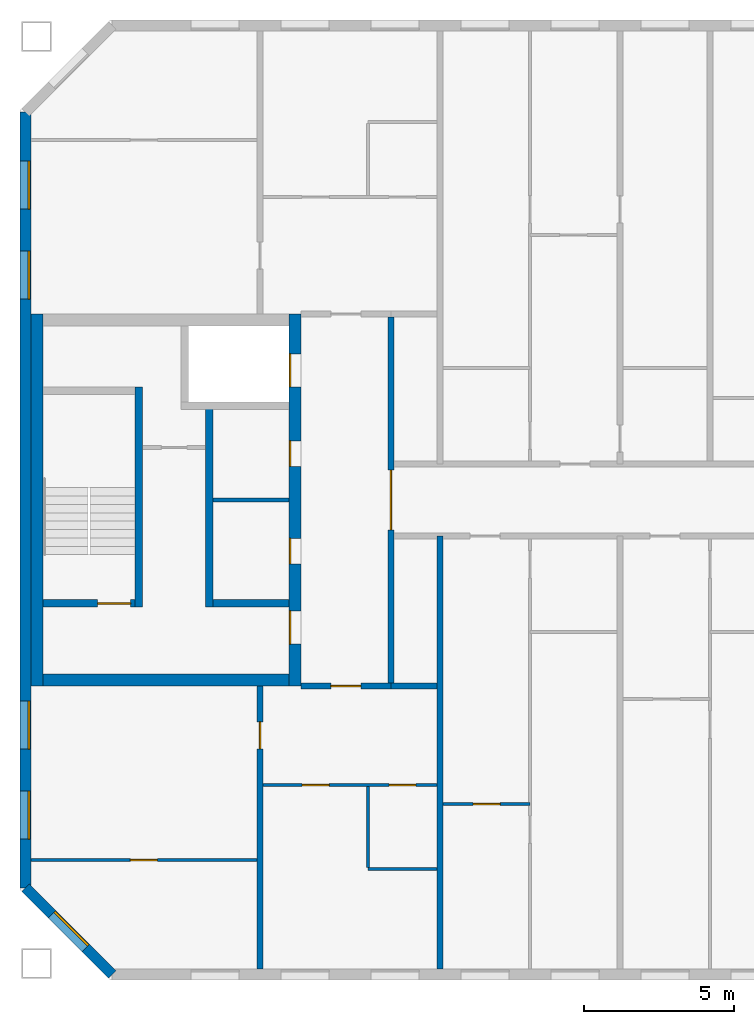
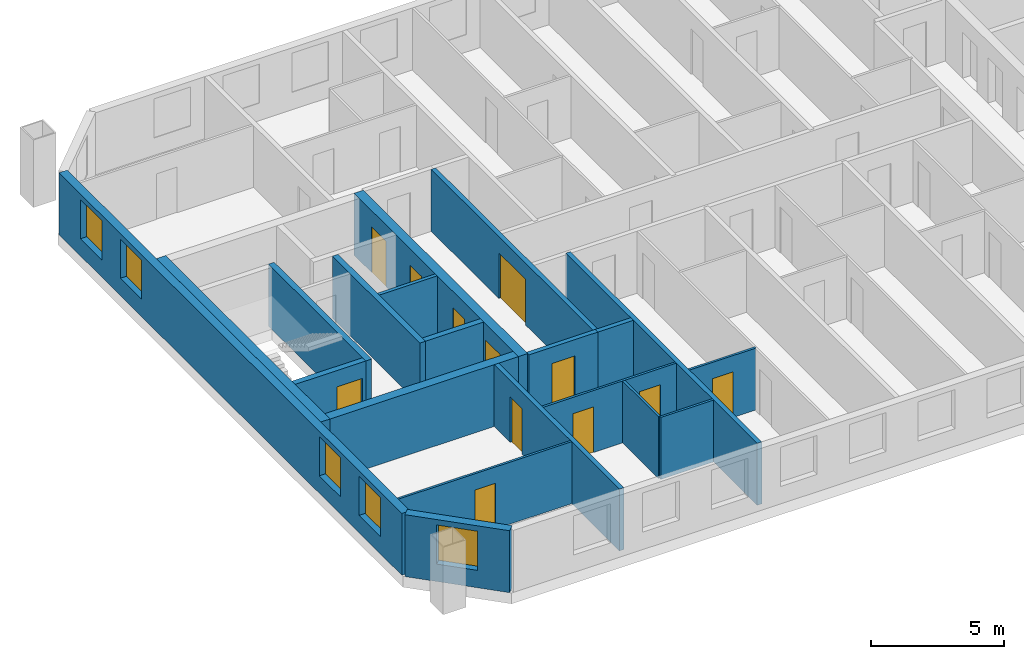
# One storey, part 4 of 19: 20 walls, 12 doors, 5 windows, 17 openings.
"""IFC4 building model written with IfcOpenShell, lengths in metres."""

from ifc_helpers import new_model, si_unit, direction, frame, frame_2d, origin, place, context, subcontext, project, spatial, rectangle, extrude, material, layer, layer_set, type_object, element, fill, save


model = new_model("IFC4")

# Units and contexts
model_context = context("Model", 3, precision=1e-05, world=origin(), true_north=direction((0.0, 1.0)))
body_context = subcontext(model_context, "Body", "Model", "MODEL_VIEW")
ifc_project = project(units=[si_unit("LENGTHUNIT", "METRE"), si_unit("AREAUNIT", "SQUARE_METRE"), si_unit("VOLUMEUNIT", "CUBIC_METRE"), si_unit("PLANEANGLEUNIT", "RADIAN"), si_unit("MASSUNIT", "GRAM", prefix="KILO")], contexts=[model_context])

# Site, building, storey
site_placement = place(None, origin())
site = spatial("IfcSite", under=ifc_project, at=site_placement, CompositionType="ELEMENT")
building_placement = place(site_placement, origin())
building = spatial("IfcBuilding", under=site, at=building_placement, Name="Tuart Gate Housing", CompositionType="ELEMENT")
storey_placement = place(building_placement, frame((0.0, 0.0, 202.800048828125)))
storey = spatial("IfcBuildingStorey", under=building, at=storey_placement, Name="L57", CompositionType="ELEMENT", Elevation=202.800048828125)

# Wall, opening, window
ifc_material_1 = material(Name="Brick", Category="masonry")
ifc_layer_1 = layer(ifc_material_1, 0.360107421875)
ifc_layer_set_1 = layer_set([ifc_layer_1], Name="Brick pier and spandrel wall 360")
wall_type_1 = type_object("IfcWallType", Name="Brick pier and spandrel wall 360", PredefinedType="STANDARD", material=ifc_layer_set_1)
wall_1_placement = place(storey_placement, frame((32.179931640625, 57.07470703125, 0.0), z_axis=(0.0, 0.0, 1.0), x_axis=(0.707106781187, -0.707106781187, 0.0)))
wall_1 = element("IfcWall", 1, at=wall_1_placement, inside=storey, type_object=wall_type_1, Name="External wall BLK-SW L57", PredefinedType="STANDARD", context=body_context, shape_type="SweptSolid", body=[
    extrude(rectangle(XDim=4.09375, YDim=0.360107421875, at=frame_2d((2.046875, 0.0))), origin(), (0.0, 0.0, 1.0), 2.849853515625),
])
opening_1_placement = place(wall_1_placement, frame((1.2470703125, 0.0, 0.800048828125)))
opening_1 = element("IfcOpeningElement", 2, at=opening_1_placement, cuts=wall_1, Name="Opening W1", PredefinedType="OPENING", context=body_context, shape_type="SweptSolid", body=[
    extrude(rectangle(XDim=1.60009765625, YDim=1.800048828125, at=frame_2d((0.800048828125, 0.89990234375))), frame((0.0, 0.18994140625, 0.0), z_axis=(0.0, -1.0, 0.0), x_axis=(1.0, 0.0, 0.0)), (0.0, 0.0, 1.0), 0.380126953125),
])
ifc_material_2 = material(Name="Aluminium frame with clear glass", Category="aluminium")
window_type = type_object("IfcWindowType", Name="Punched window 1600 x 1800", PartitioningType="SINGLE_PANEL", PredefinedType="WINDOW", material=ifc_material_2)
window_1_placement = place(opening_1_placement, origin())
window_1 = element("IfcWindow", 3, at=window_1_placement, inside=storey, type_object=window_type, Name="Window W1", OverallHeight=1.800048828125, OverallWidth=1.60009765625, PartitioningType="SINGLE_PANEL", PredefinedType="WINDOW", context=body_context, shape_type="SweptSolid", body=[
    extrude(rectangle(XDim=1.60009765625, YDim=1.800048828125, at=frame_2d((0.800048828125, 0.89990234375))), frame((0.0, 0.150146484375, 0.0), z_axis=(0.0, -1.0, 0.0), x_axis=(1.0, 0.0, 0.0)), (0.0, 0.0, 1.0), 0.06005859375),
])
fill(opening_1, window_1)

# Wall, openings, windows
wall_2_placement = place(storey_placement, frame((32.179931640625, 82.92529296875, 0.0), z_axis=(0.0, 0.0, 1.0), x_axis=(0.0, -1.0, 0.0)))
wall_2 = element("IfcWall", 4, at=wall_2_placement, inside=storey, type_object=wall_type_1, Name="External wall BLK-W L57", PredefinedType="STANDARD", context=body_context, shape_type="SweptSolid", body=[
    extrude(rectangle(XDim=25.850830078125, YDim=0.360107421875, at=frame_2d((12.92529296875, 0.0))), origin(), (0.0, 0.0, 1.0), 2.849853515625),
])
opening_2_placement = place(wall_2_placement, frame((1.62548828125, 0.0, 0.800048828125)))
opening_2 = element("IfcOpeningElement", 5, at=opening_2_placement, cuts=wall_2, Name="Opening W1", PredefinedType="OPENING", context=body_context, shape_type="SweptSolid", body=[
    extrude(rectangle(XDim=1.60009765625, YDim=1.800048828125, at=frame_2d((0.800048828125, 0.89990234375))), frame((0.0, 0.18994140625, 0.0), z_axis=(0.0, -1.0, 0.0), x_axis=(1.0, 0.0, 0.0)), (0.0, 0.0, 1.0), 0.380126953125),
])
opening_3_placement = place(wall_2_placement, frame((4.62548828125, 0.0, 0.800048828125)))
opening_3 = element("IfcOpeningElement", 6, at=opening_3_placement, cuts=wall_2, Name="Opening W1", PredefinedType="OPENING", context=body_context, shape_type="SweptSolid", body=[
    extrude(rectangle(XDim=1.60009765625, YDim=1.800048828125, at=frame_2d((0.800048828125, 0.89990234375))), frame((0.0, 0.18994140625, 0.0), z_axis=(0.0, -1.0, 0.0), x_axis=(1.0, 0.0, 0.0)), (0.0, 0.0, 1.0), 0.380126953125),
])
opening_4_placement = place(wall_2_placement, frame((19.62548828125, 0.0, 0.800048828125)))
opening_4 = element("IfcOpeningElement", 7, at=opening_4_placement, cuts=wall_2, Name="Opening W1", PredefinedType="OPENING", context=body_context, shape_type="SweptSolid", body=[
    extrude(rectangle(XDim=1.60009765625, YDim=1.800048828125, at=frame_2d((0.800048828125, 0.89990234375))), frame((0.0, 0.18994140625, 0.0), z_axis=(0.0, -1.0, 0.0), x_axis=(1.0, 0.0, 0.0)), (0.0, 0.0, 1.0), 0.380126953125),
])
opening_5_placement = place(wall_2_placement, frame((22.62548828125, 0.0, 0.800048828125)))
opening_5 = element("IfcOpeningElement", 8, at=opening_5_placement, cuts=wall_2, Name="Opening W1", PredefinedType="OPENING", context=body_context, shape_type="SweptSolid", body=[
    extrude(rectangle(XDim=1.60009765625, YDim=1.800048828125, at=frame_2d((0.800048828125, 0.89990234375))), frame((0.0, 0.18994140625, 0.0), z_axis=(0.0, -1.0, 0.0), x_axis=(1.0, 0.0, 0.0)), (0.0, 0.0, 1.0), 0.380126953125),
])
window_2_placement = place(opening_2_placement, origin())
window_2 = element("IfcWindow", 9, at=window_2_placement, inside=storey, type_object=window_type, Name="Window W1", OverallHeight=1.800048828125, OverallWidth=1.60009765625, PartitioningType="SINGLE_PANEL", PredefinedType="WINDOW", context=body_context, shape_type="SweptSolid", body=[
    extrude(rectangle(XDim=1.60009765625, YDim=1.800048828125, at=frame_2d((0.800048828125, 0.89990234375))), frame((0.0, 0.150146484375, 0.0), z_axis=(0.0, -1.0, 0.0), x_axis=(1.0, 0.0, 0.0)), (0.0, 0.0, 1.0), 0.06005859375),
])
fill(opening_2, window_2)
window_3_placement = place(opening_3_placement, origin())
window_3 = element("IfcWindow", 10, at=window_3_placement, inside=storey, type_object=window_type, Name="Window W1", OverallHeight=1.800048828125, OverallWidth=1.60009765625, PartitioningType="SINGLE_PANEL", PredefinedType="WINDOW", context=body_context, shape_type="SweptSolid", body=[
    extrude(rectangle(XDim=1.60009765625, YDim=1.800048828125, at=frame_2d((0.800048828125, 0.89990234375))), frame((0.0, 0.150146484375, 0.0), z_axis=(0.0, -1.0, 0.0), x_axis=(1.0, 0.0, 0.0)), (0.0, 0.0, 1.0), 0.06005859375),
])
fill(opening_3, window_3)
window_4_placement = place(opening_4_placement, origin())
window_4 = element("IfcWindow", 11, at=window_4_placement, inside=storey, type_object=window_type, Name="Window W1", OverallHeight=1.800048828125, OverallWidth=1.60009765625, PartitioningType="SINGLE_PANEL", PredefinedType="WINDOW", context=body_context, shape_type="SweptSolid", body=[
    extrude(rectangle(XDim=1.60009765625, YDim=1.800048828125, at=frame_2d((0.800048828125, 0.89990234375))), frame((0.0, 0.150146484375, 0.0), z_axis=(0.0, -1.0, 0.0), x_axis=(1.0, 0.0, 0.0)), (0.0, 0.0, 1.0), 0.06005859375),
])
fill(opening_4, window_4)
window_5_placement = place(opening_5_placement, origin())
window_5 = element("IfcWindow", 12, at=window_5_placement, inside=storey, type_object=window_type, Name="Window W1", OverallHeight=1.800048828125, OverallWidth=1.60009765625, PartitioningType="SINGLE_PANEL", PredefinedType="WINDOW", context=body_context, shape_type="SweptSolid", body=[
    extrude(rectangle(XDim=1.60009765625, YDim=1.800048828125, at=frame_2d((0.800048828125, 0.89990234375))), frame((0.0, 0.150146484375, 0.0), z_axis=(0.0, -1.0, 0.0), x_axis=(1.0, 0.0, 0.0)), (0.0, 0.0, 1.0), 0.06005859375),
])
fill(opening_5, window_5)

# Walls
ifc_material_3 = material(Name="Plasterboard partition")
ifc_layer_2 = layer(ifc_material_3, 0.14990234375)
ifc_layer_set_2 = layer_set([ifc_layer_2], Name="Core partition 150")
wall_type_2 = type_object("IfcWallType", Name="Core partition 150", PredefinedType="PARTITIONING", material=ifc_layer_set_2)
wall_3_placement = place(storey_placement, frame((40.9599609375, 70.0, 0.0), z_axis=(0.0, 0.0, 1.0), x_axis=(-1.0, 0.0, 0.0)))
element("IfcWall", 13, at=wall_3_placement, inside=storey, type_object=wall_type_2, Name="Core partition AK.4", PredefinedType="PARTITIONING", context=body_context, shape_type="SweptSolid", body=[
    extrude(rectangle(XDim=2.52490234375, YDim=0.14990234375, at=frame_2d((1.262451171875, 0.0))), origin(), (0.0, 0.0, 1.0), 2.849853515625),
])
ifc_material_4 = material(Name="Concrete C40", Category="concrete")
ifc_layer_3 = layer(ifc_material_4, 0.25)
ifc_layer_set_3 = layer_set([ifc_layer_3], Name="Core wall 250 C40")
wall_type_3 = type_object("IfcWallType", Name="Core wall 250 C40", PredefinedType="SHEAR", material=ifc_layer_set_3)
wall_4_placement = place(storey_placement, frame((40.9599609375, 66.550048828125, 0.0), z_axis=(0.0, 0.0, 1.0), x_axis=(-1.0, 0.0, 0.0)))
element("IfcWall", 14, at=wall_4_placement, inside=storey, type_object=wall_type_3, Name="Core wall AK.5", PredefinedType="SHEAR", context=body_context, shape_type="SweptSolid", body=[
    extrude(rectangle(XDim=2.52490234375, YDim=0.25, at=frame_2d((1.262451171875, 0.0))), origin(), (0.0, 0.0, 1.0), 2.849853515625),
])

# Wall, opening, door
wall_5_placement = place(storey_placement, frame((35.8349609375, 66.550048828125, 0.0), z_axis=(0.0, 0.0, 1.0), x_axis=(-1.0, 0.0, 0.0)))
wall_5 = element("IfcWall", 15, at=wall_5_placement, inside=storey, type_object=wall_type_3, Name="Core wall AK.6", PredefinedType="SHEAR", context=body_context, shape_type="SweptSolid", body=[
    extrude(rectangle(XDim=3.074951171875, YDim=0.25, at=frame_2d((1.53759765625, 0.0))), origin(), (0.0, 0.0, 1.0), 2.849853515625),
])
opening_6_placement = place(wall_5_placement, frame((0.14990234375, 0.0, 0.0)))
opening_6 = element("IfcOpeningElement", 16, at=opening_6_placement, cuts=wall_5, Name="Opening D1982", PredefinedType="OPENING", context=body_context, shape_type="SweptSolid", body=[
    extrude(rectangle(XDim=1.10009765625, YDim=2.10009765625, at=frame_2d((0.550048828125, 1.050048828125))), frame((0.0, 0.135009765625, 0.0), z_axis=(0.0, -1.0, 0.0), x_axis=(1.0, 0.0, 0.0)), (0.0, 0.0, 1.0), 0.27001953125),
])
ifc_material_5 = material(Name="Steel fire door", Category="steel")
door_type_1 = type_object("IfcDoorType", Name="Stair door 1100 x 2100 RH", OperationType="SINGLE_SWING_RIGHT", PredefinedType="DOOR", material=ifc_material_5)
door_1_placement = place(opening_6_placement, frame((1.10009765625, 0.0, 0.0), z_axis=(0.0, 0.0, 1.0), x_axis=(-1.0, 0.0, 0.0)))
door_1 = element("IfcDoor", 17, at=door_1_placement, inside=storey, type_object=door_type_1, Name="Stair door AK.SD", OperationType="SINGLE_SWING_RIGHT", OverallHeight=2.10009765625, OverallWidth=1.10009765625, PredefinedType="DOOR", context=body_context, shape_type="SweptSolid", body=[
    extrude(rectangle(XDim=1.10009765625, YDim=2.10009765625, at=frame_2d((0.550048828125, 1.050048828125))), frame((0.0, 0.025146484375, 0.0), z_axis=(0.0, -1.0, 0.0), x_axis=(1.0, 0.0, 0.0)), (0.0, 0.0, 1.0), 0.050048828125),
])
fill(opening_6, door_1)

# Walls
wall_6_placement = place(storey_placement, frame((38.31005859375, 73.02490234375, 0.0), z_axis=(0.0, 0.0, 1.0), x_axis=(0.0, -1.0, 0.0)))
element("IfcWall", 18, at=wall_6_placement, inside=storey, type_object=wall_type_3, Name="Core wall AK.7", PredefinedType="SHEAR", context=body_context, shape_type="SweptSolid", body=[
    extrude(rectangle(XDim=6.599853515625, YDim=0.25, at=frame_2d((3.2998046875, 0.0))), origin(), (0.0, 0.0, 1.0), 2.849853515625),
])
wall_7_placement = place(storey_placement, frame((35.9599609375, 73.77490234375, 0.0), z_axis=(0.0, 0.0, 1.0), x_axis=(0.0, -1.0, 0.0)))
element("IfcWall", 19, at=wall_7_placement, inside=storey, type_object=wall_type_3, Name="Core wall AK.9", PredefinedType="SHEAR", context=body_context, shape_type="SweptSolid", body=[
    extrude(rectangle(XDim=7.349853515625, YDim=0.25, at=frame_2d((3.6748046875, 0.0))), origin(), (0.0, 0.0, 1.0), 2.849853515625),
])

# Wall, openings, doors
ifc_material_6 = material(Name="Concrete C40", Category="concrete")
ifc_layer_4 = layer(ifc_material_6, 0.39990234375)
ifc_layer_set_4 = layer_set([ifc_layer_4], Name="Core wall 400 C40")
wall_type_4 = type_object("IfcWallType", Name="Core wall 400 C40", PredefinedType="SHEAR", material=ifc_layer_set_4)
wall_8_placement = place(storey_placement, frame((41.159912109375, 76.199951171875, 0.0), z_axis=(0.0, 0.0, 1.0), x_axis=(0.0, -1.0, 0.0)))
wall_8 = element("IfcWall", 20, at=wall_8_placement, inside=storey, type_object=wall_type_4, Name="Core wall AK front", PredefinedType="SHEAR", context=body_context, shape_type="SweptSolid", body=[
    extrude(rectangle(XDim=12.39990234375, YDim=0.39990234375, at=frame_2d((6.199951171875, 0.0))), origin(), (0.0, 0.0, 1.0), 2.849853515625),
])
opening_7_placement = place(wall_8_placement, frame((1.324951171875, 0.0, 0.0)))
opening_7 = element("IfcOpeningElement", 21, at=opening_7_placement, cuts=wall_8, Name="Opening LD-FA2", PredefinedType="OPENING", context=body_context, shape_type="SweptSolid", body=[
    extrude(rectangle(XDim=1.10009765625, YDim=2.10009765625, at=frame_2d((0.550048828125, 1.050048828125))), frame((0.0, 0.2099609375, 0.0), z_axis=(0.0, -1.0, 0.0), x_axis=(1.0, 0.0, 0.0)), (0.0, 0.0, 1.0), 0.419921875),
])
opening_8_placement = place(wall_8_placement, frame((4.22509765625, 0.0, 0.0)))
opening_8 = element("IfcOpeningElement", 22, at=opening_8_placement, cuts=wall_8, Name="Opening D1971", PredefinedType="OPENING", context=body_context, shape_type="SweptSolid", body=[
    extrude(rectangle(XDim=0.85009765625, YDim=2.10009765625, at=frame_2d((0.425048828125, 1.050048828125))), frame((0.0, 0.2099609375, 0.0), z_axis=(0.0, -1.0, 0.0), x_axis=(1.0, 0.0, 0.0)), (0.0, 0.0, 1.0), 0.419921875),
])
opening_9_placement = place(wall_8_placement, frame((7.47509765625, 0.0, 0.0)))
opening_9 = element("IfcOpeningElement", 23, at=opening_9_placement, cuts=wall_8, Name="Opening D1972", PredefinedType="OPENING", context=body_context, shape_type="SweptSolid", body=[
    extrude(rectangle(XDim=0.85009765625, YDim=2.10009765625, at=frame_2d((0.425048828125, 1.050048828125))), frame((0.0, 0.2099609375, 0.0), z_axis=(0.0, -1.0, 0.0), x_axis=(1.0, 0.0, 0.0)), (0.0, 0.0, 1.0), 0.419921875),
])
opening_10_placement = place(wall_8_placement, frame((9.89990234375, 0.0, 0.0)))
opening_10 = element("IfcOpeningElement", 24, at=opening_10_placement, cuts=wall_8, Name="Opening D1970", PredefinedType="OPENING", context=body_context, shape_type="SweptSolid", body=[
    extrude(rectangle(XDim=1.10009765625, YDim=2.10009765625, at=frame_2d((0.550048828125, 1.050048828125))), frame((0.0, 0.2099609375, 0.0), z_axis=(0.0, -1.0, 0.0), x_axis=(1.0, 0.0, 0.0)), (0.0, 0.0, 1.0), 0.419921875),
])
ifc_material_7 = material(Name="Stainless steel", Category="steel")
door_type_2 = type_object("IfcDoorType", Name="Landing door 1100 x 2100", OperationType="DOUBLE_DOOR_SLIDING", PredefinedType="DOOR", material=ifc_material_7)
door_2_placement = place(opening_7_placement, origin())
door_2 = element("IfcDoor", 25, at=door_2_placement, inside=storey, type_object=door_type_2, Name="Lift landing door FA2", OperationType="DOUBLE_DOOR_SLIDING", OverallHeight=2.10009765625, OverallWidth=1.10009765625, PredefinedType="DOOR", context=body_context, shape_type="SweptSolid", body=[
    extrude(rectangle(XDim=1.10009765625, YDim=2.10009765625, at=frame_2d((0.550048828125, 1.050048828125))), frame((0.0, -0.134765625, 0.0), z_axis=(0.0, -1.0, 0.0), x_axis=(1.0, 0.0, 0.0)), (0.0, 0.0, 1.0), 0.050048828125),
])
fill(opening_7, door_2)
ifc_material_8 = material(Name="Steel fire door", Category="steel")
door_type_3 = type_object("IfcDoorType", Name="Lobby door 1100 x 2100 RH", OperationType="SINGLE_SWING_RIGHT", PredefinedType="DOOR", material=ifc_material_8)
door_3_placement = place(opening_10_placement, frame((1.10009765625, 0.0, 0.0), z_axis=(0.0, 0.0, 1.0), x_axis=(-1.0, 0.0, 0.0)))
door_3 = element("IfcDoor", 26, at=door_3_placement, inside=storey, type_object=door_type_3, Name="Lobby entry door AK.EN", OperationType="SINGLE_SWING_RIGHT", OverallHeight=2.10009765625, OverallWidth=1.10009765625, PredefinedType="DOOR", context=body_context, shape_type="SweptSolid", body=[
    extrude(rectangle(XDim=1.10009765625, YDim=2.10009765625, at=frame_2d((0.550048828125, 1.050048828125))), frame((0.0, 0.184814453125, 0.0), z_axis=(0.0, -1.0, 0.0), x_axis=(1.0, 0.0, 0.0)), (0.0, 0.0, 1.0), 0.050048828125),
])
fill(opening_10, door_3)
ifc_material_9 = material(Name="Steel fire door", Category="steel")
door_type_4 = type_object("IfcDoorType", Name="Service door 850 x 2100 RH", OperationType="SINGLE_SWING_RIGHT", PredefinedType="DOOR", material=ifc_material_9)
door_4_placement = place(opening_8_placement, frame((0.85009765625, 0.0, 0.0), z_axis=(0.0, 0.0, 1.0), x_axis=(-1.0, 0.0, 0.0)))
door_4 = element("IfcDoor", 27, at=door_4_placement, inside=storey, type_object=door_type_4, Name="Service room door AK.FR1", OperationType="SINGLE_SWING_RIGHT", OverallHeight=2.10009765625, OverallWidth=0.85009765625, PredefinedType="DOOR", context=body_context, shape_type="SweptSolid", body=[
    extrude(rectangle(XDim=0.85009765625, YDim=2.10009765625, at=frame_2d((0.425048828125, 1.050048828125))), frame((0.0, 0.184814453125, 0.0), z_axis=(0.0, -1.0, 0.0), x_axis=(1.0, 0.0, 0.0)), (0.0, 0.0, 1.0), 0.050048828125),
])
fill(opening_8, door_4)
door_5_placement = place(opening_9_placement, frame((0.85009765625, 0.0, 0.0), z_axis=(0.0, 0.0, 1.0), x_axis=(-1.0, 0.0, 0.0)))
door_5 = element("IfcDoor", 28, at=door_5_placement, inside=storey, type_object=door_type_4, Name="Service room door AK.FR2", OperationType="SINGLE_SWING_RIGHT", OverallHeight=2.10009765625, OverallWidth=0.85009765625, PredefinedType="DOOR", context=body_context, shape_type="SweptSolid", body=[
    extrude(rectangle(XDim=0.85009765625, YDim=2.10009765625, at=frame_2d((0.425048828125, 1.050048828125))), frame((0.0, 0.184814453125, 0.0), z_axis=(0.0, -1.0, 0.0), x_axis=(1.0, 0.0, 0.0)), (0.0, 0.0, 1.0), 0.050048828125),
])
fill(opening_9, door_5)

# Walls
wall_9_placement = place(storey_placement, frame((32.56005859375, 76.199951171875, 0.0), z_axis=(0.0, 0.0, 1.0), x_axis=(0.0, -1.0, 0.0)))
element("IfcWall", 29, at=wall_9_placement, inside=storey, type_object=wall_type_4, Name="Core wall AK back", PredefinedType="SHEAR", context=body_context, shape_type="SweptSolid", body=[
    extrude(rectangle(XDim=12.39990234375, YDim=0.39990234375, at=frame_2d((6.199951171875, 0.0))), origin(), (0.0, 0.0, 1.0), 2.849853515625),
])
wall_10_placement = place(storey_placement, frame((40.9599609375, 64.0, 0.0), z_axis=(0.0, 0.0, 1.0), x_axis=(-1.0, 0.0, 0.0)))
element("IfcWall", 30, at=wall_10_placement, inside=storey, type_object=wall_type_4, Name="Core wall AK north", PredefinedType="SHEAR", context=body_context, shape_type="SweptSolid", body=[
    extrude(rectangle(XDim=8.199951171875, YDim=0.39990234375, at=frame_2d((4.10009765625, 0.0))), origin(), (0.0, 0.0, 1.0), 2.849853515625),
])

# Wall, opening, door
ifc_material_10 = material(Name="Concrete masonry 15 MPa", Category="masonry")
ifc_layer_5 = layer(ifc_material_10, 0.199951171875)
ifc_layer_set_5 = layer_set([ifc_layer_5], Name="Enclosure wall masonry 200")
wall_type_5 = type_object("IfcWallType", Name="Enclosure wall masonry 200", PredefinedType="PARTITIONING", material=ifc_layer_set_5)
wall_11_placement = place(storey_placement, frame((41.360107421875, 63.800048828125, 0.0), z_axis=(0.0, 0.0, 1.0), x_axis=(1.0, 0.0, 0.0)))
wall_11 = element("IfcWall", 31, at=wall_11_placement, inside=storey, type_object=wall_type_5, Name="Enclosure wall masonry 200", PredefinedType="PARTITIONING", context=body_context, shape_type="SweptSolid", body=[
    extrude(rectangle(XDim=3.0, YDim=0.199951171875, at=frame_2d((1.5, 0.0))), origin(), (0.0, 0.0, 1.0), 2.849853515625),
])
opening_11_placement = place(wall_11_placement, frame((1.0, 0.0, 0.0)))
opening_11 = element("IfcOpeningElement", 32, at=opening_11_placement, cuts=wall_11, Name="Opening D1983", PredefinedType="OPENING", context=body_context, shape_type="SweptSolid", body=[
    extrude(rectangle(XDim=1.0, YDim=2.10009765625, at=frame_2d((0.5, 1.050048828125))), frame((0.0, 0.10986328125, 0.0), z_axis=(0.0, -1.0, 0.0), x_axis=(1.0, 0.0, 0.0)), (0.0, 0.0, 1.0), 0.219970703125),
])
ifc_material_11 = material(Name="Timber door leaf in steel frame", Category="steel")
door_type_5 = type_object("IfcDoorType", Name="Flat entrance door 1000 RH", OperationType="SINGLE_SWING_RIGHT", PredefinedType="DOOR", material=ifc_material_11)
door_6_placement = place(opening_11_placement, frame((1.0, 0.0, 0.0), z_axis=(0.0, 0.0, 1.0), x_axis=(-1.0, 0.0, 0.0)))
door_6 = element("IfcDoor", 33, at=door_6_placement, inside=storey, type_object=door_type_5, Name="Flat entrance door", OperationType="SINGLE_SWING_RIGHT", OverallHeight=2.10009765625, OverallWidth=1.0, PredefinedType="DOOR", context=body_context, shape_type="SweptSolid", body=[
    extrude(rectangle(XDim=1.0, YDim=2.10009765625, at=frame_2d((0.5, 1.050048828125))), frame((0.0, 0.025146484375, 0.0), z_axis=(0.0, -1.0, 0.0), x_axis=(1.0, 0.0, 0.0)), (0.0, 0.0, 1.0), 0.050048828125),
])
fill(opening_11, door_6)

ifc_material_12 = material(Name="Plasterboard partition")
ifc_layer_6 = layer(ifc_material_12, 0.199951171875)
ifc_layer_set_6 = layer_set([ifc_layer_6], Name="Lobby wall 200")
wall_type_6 = type_object("IfcWallType", Name="Lobby wall 200", PredefinedType="PARTITIONING", material=ifc_layer_set_6)
wall_12_placement = place(storey_placement, frame((44.360107421875, 63.89990234375, 0.0), z_axis=(0.0, 0.0, 1.0), x_axis=(0.0, 1.0, 0.0)))
wall_12 = element("IfcWall", 34, at=wall_12_placement, inside=storey, type_object=wall_type_6, Name="Lift lobby wall AK", PredefinedType="PARTITIONING", context=body_context, shape_type="SweptSolid", body=[
    extrude(rectangle(XDim=12.2001953125, YDim=0.199951171875, at=frame_2d((6.10009765625, 0.0))), origin(), (0.0, 0.0, 1.0), 2.849853515625),
])
opening_12_placement = place(wall_12_placement, frame((5.10009765625, 0.0, 0.0)))
opening_12 = element("IfcOpeningElement", 35, at=opening_12_placement, cuts=wall_12, Name="Opening D1973", PredefinedType="OPENING", context=body_context, shape_type="SweptSolid", body=[
    extrude(rectangle(XDim=2.0, YDim=2.10009765625, at=frame_2d((1.0, 1.050048828125))), frame((0.0, 0.10986328125, 0.0), z_axis=(0.0, -1.0, 0.0), x_axis=(1.0, 0.0, 0.0)), (0.0, 0.0, 1.0), 0.219970703125),
])
ifc_material_13 = material(Name="Steel fire door", Category="steel")
door_type_6 = type_object("IfcDoorType", Name="Smoke door 2000 x 2100", OperationType="DOUBLE_DOOR_SINGLE_SWING", PredefinedType="DOOR", material=ifc_material_13)
door_7_placement = place(opening_12_placement, origin())
door_7 = element("IfcDoor", 36, at=door_7_placement, inside=storey, type_object=door_type_6, Name="Lift lobby smoke door AK", OperationType="DOUBLE_DOOR_SINGLE_SWING", OverallHeight=2.10009765625, OverallWidth=2.0, PredefinedType="DOOR", context=body_context, shape_type="SweptSolid", body=[
    extrude(rectangle(XDim=2.0, YDim=2.10009765625, at=frame_2d((1.0, 1.050048828125))), frame((0.0, 0.02490234375, 0.0), z_axis=(0.0, -1.0, 0.0), x_axis=(1.0, 0.0, 0.0)), (0.0, 0.0, 1.0), 0.050048828125),
])
fill(opening_12, door_7)

# Wall
ifc_material_14 = material(Name="Gypsum board on steel studs", Category="steel")
ifc_layer_7 = layer(ifc_material_14, 0.10009765625)
ifc_layer_set_7 = layer_set([ifc_layer_7], Name="Partition 100")
wall_type_7 = type_object("IfcWallType", Name="Partition 100", PredefinedType="PARTITIONING", material=ifc_layer_set_7)
wall_13_placement = place(storey_placement, frame((43.60009765625, 57.699951171875, 0.0), z_axis=(0.0, 0.0, 1.0), x_axis=(1.0, 0.0, 0.0)))
element("IfcWall", 37, at=wall_13_placement, inside=storey, type_object=wall_type_7, Name="Partition 100", PredefinedType="PARTITIONING", context=body_context, shape_type="SweptSolid", body=[
    extrude(rectangle(XDim=2.2998046875, YDim=0.10009765625, at=frame_2d((1.14990234375, 0.0))), origin(), (0.0, 0.0, 1.0), 2.849853515625),
])

# Wall, opening, door
wall_14_placement = place(storey_placement, frame((32.360107421875, 58.0, 0.0), z_axis=(0.0, 0.0, 1.0), x_axis=(1.0, 0.0, 0.0)))
wall_14 = element("IfcWall", 38, at=wall_14_placement, inside=storey, type_object=wall_type_7, Name="Partition 100", PredefinedType="PARTITIONING", context=body_context, shape_type="SweptSolid", body=[
    extrude(rectangle(XDim=7.539794921875, YDim=0.10009765625, at=frame_2d((3.77001953125, 0.0))), origin(), (0.0, 0.0, 1.0), 2.849853515625),
])
opening_13_placement = place(wall_14_placement, frame((3.320068359375, 0.0, 0.0)))
opening_13 = element("IfcOpeningElement", 39, at=opening_13_placement, cuts=wall_14, Name="Opening D2001", PredefinedType="OPENING", context=body_context, shape_type="SweptSolid", body=[
    extrude(rectangle(XDim=0.89990234375, YDim=2.10009765625, at=frame_2d((0.449951171875, 1.050048828125))), frame((0.0, 0.06005859375, 0.0), z_axis=(0.0, -1.0, 0.0), x_axis=(1.0, 0.0, 0.0)), (0.0, 0.0, 1.0), 0.1201171875),
])
ifc_material_15 = material(Name="Timber door leaf in steel frame", Category="steel")
door_type_7 = type_object("IfcDoorType", Name="Internal door 900 RH", OperationType="SINGLE_SWING_RIGHT", PredefinedType="DOOR", material=ifc_material_15)
door_8_placement = place(opening_13_placement, frame((0.89990234375, 0.0, 0.0), z_axis=(0.0, 0.0, 1.0), x_axis=(-1.0, 0.0, 0.0)))
door_8 = element("IfcDoor", 40, at=door_8_placement, inside=storey, type_object=door_type_7, Name="Internal door", OperationType="SINGLE_SWING_RIGHT", OverallHeight=2.10009765625, OverallWidth=0.89990234375, PredefinedType="DOOR", context=body_context, shape_type="SweptSolid", body=[
    extrude(rectangle(XDim=0.89990234375, YDim=2.10009765625, at=frame_2d((0.449951171875, 1.050048828125))), frame((0.0, 0.025146484375, 0.0), z_axis=(0.0, -1.0, 0.0), x_axis=(1.0, 0.0, 0.0)), (0.0, 0.0, 1.0), 0.050048828125),
])
fill(opening_13, door_8)

wall_15_placement = place(storey_placement, frame((46.10009765625, 59.860107421875, 0.0), z_axis=(0.0, 0.0, 1.0), x_axis=(1.0, 0.0, 0.0)))
wall_15 = element("IfcWall", 41, at=wall_15_placement, inside=storey, type_object=wall_type_7, Name="Partition 100", PredefinedType="PARTITIONING", context=body_context, shape_type="SweptSolid", body=[
    extrude(rectangle(XDim=2.89990234375, YDim=0.10009765625, at=frame_2d((1.449951171875, 0.0))), origin(), (0.0, 0.0, 1.0), 2.849853515625),
])
opening_14_placement = place(wall_15_placement, frame((1.0, 0.0, 0.0)))
opening_14 = element("IfcOpeningElement", 42, at=opening_14_placement, cuts=wall_15, Name="Opening D1997", PredefinedType="OPENING", context=body_context, shape_type="SweptSolid", body=[
    extrude(rectangle(XDim=0.89990234375, YDim=2.10009765625, at=frame_2d((0.449951171875, 1.050048828125))), frame((0.0, 0.06005859375, 0.0), z_axis=(0.0, -1.0, 0.0), x_axis=(1.0, 0.0, 0.0)), (0.0, 0.0, 1.0), 0.1201171875),
])
door_9_placement = place(opening_14_placement, origin())
door_9 = element("IfcDoor", 43, at=door_9_placement, inside=storey, type_object=door_type_7, Name="Internal door", OperationType="SINGLE_SWING_RIGHT", OverallHeight=2.10009765625, OverallWidth=0.89990234375, PredefinedType="DOOR", context=body_context, shape_type="SweptSolid", body=[
    extrude(rectangle(XDim=0.89990234375, YDim=2.10009765625, at=frame_2d((0.449951171875, 1.050048828125))), frame((0.0, 0.02490234375, 0.0), z_axis=(0.0, -1.0, 0.0), x_axis=(1.0, 0.0, 0.0)), (0.0, 0.0, 1.0), 0.050048828125),
])
fill(opening_14, door_9)

# Wall, openings, doors
wall_16_placement = place(storey_placement, frame((40.10009765625, 60.5, 0.0), z_axis=(0.0, 0.0, 1.0), x_axis=(1.0, 0.0, 0.0)))
wall_16 = element("IfcWall", 44, at=wall_16_placement, inside=storey, type_object=wall_type_7, Name="Partition 100", PredefinedType="PARTITIONING", context=body_context, shape_type="SweptSolid", body=[
    extrude(rectangle(XDim=5.7998046875, YDim=0.10009765625, at=frame_2d((2.89990234375, 0.0))), origin(), (0.0, 0.0, 1.0), 2.849853515625),
])
opening_15_placement = place(wall_16_placement, frame((1.300048828125, 0.0, 0.0)))
opening_15 = element("IfcOpeningElement", 45, at=opening_15_placement, cuts=wall_16, Name="Opening D1994", PredefinedType="OPENING", context=body_context, shape_type="SweptSolid", body=[
    extrude(rectangle(XDim=0.89990234375, YDim=2.10009765625, at=frame_2d((0.449951171875, 1.050048828125))), frame((0.0, 0.06005859375, 0.0), z_axis=(0.0, -1.0, 0.0), x_axis=(1.0, 0.0, 0.0)), (0.0, 0.0, 1.0), 0.1201171875),
])
opening_16_placement = place(wall_16_placement, frame((4.199951171875, 0.0, 0.0)))
opening_16 = element("IfcOpeningElement", 46, at=opening_16_placement, cuts=wall_16, Name="Opening D1993", PredefinedType="OPENING", context=body_context, shape_type="SweptSolid", body=[
    extrude(rectangle(XDim=0.89990234375, YDim=2.10009765625, at=frame_2d((0.449951171875, 1.050048828125))), frame((0.0, 0.06005859375, 0.0), z_axis=(0.0, -1.0, 0.0), x_axis=(1.0, 0.0, 0.0)), (0.0, 0.0, 1.0), 0.1201171875),
])
ifc_material_16 = material(Name="Timber door leaf in steel frame", Category="steel")
door_type_8 = type_object("IfcDoorType", Name="Bathroom door 900 RH", OperationType="SINGLE_SWING_RIGHT", PredefinedType="DOOR", material=ifc_material_16)
door_10_placement = place(opening_16_placement, frame((0.89990234375, 0.0, 0.0), z_axis=(0.0, 0.0, 1.0), x_axis=(-1.0, 0.0, 0.0)))
door_10 = element("IfcDoor", 47, at=door_10_placement, inside=storey, type_object=door_type_8, Name="Bathroom door", OperationType="SINGLE_SWING_RIGHT", OverallHeight=2.10009765625, OverallWidth=0.89990234375, PredefinedType="DOOR", context=body_context, shape_type="SweptSolid", body=[
    extrude(rectangle(XDim=0.89990234375, YDim=2.10009765625, at=frame_2d((0.449951171875, 1.050048828125))), frame((0.0, 0.025146484375, 0.0), z_axis=(0.0, -1.0, 0.0), x_axis=(1.0, 0.0, 0.0)), (0.0, 0.0, 1.0), 0.050048828125),
])
fill(opening_16, door_10)
ifc_material_17 = material(Name="Timber door leaf in steel frame", Category="steel")
door_type_9 = type_object("IfcDoorType", Name="Internal door 900", OperationType="SINGLE_SWING_LEFT", PredefinedType="DOOR", material=ifc_material_17)
door_11_placement = place(opening_15_placement, frame((0.89990234375, 0.0, 0.0), z_axis=(0.0, 0.0, 1.0), x_axis=(-1.0, 0.0, 0.0)))
door_11 = element("IfcDoor", 48, at=door_11_placement, inside=storey, type_object=door_type_9, Name="Internal door", OperationType="SINGLE_SWING_LEFT", OverallHeight=2.10009765625, OverallWidth=0.89990234375, PredefinedType="DOOR", context=body_context, shape_type="SweptSolid", body=[
    extrude(rectangle(XDim=0.89990234375, YDim=2.10009765625, at=frame_2d((0.449951171875, 1.050048828125))), frame((0.0, 0.025146484375, 0.0), z_axis=(0.0, -1.0, 0.0), x_axis=(1.0, 0.0, 0.0)), (0.0, 0.0, 1.0), 0.050048828125),
])
fill(opening_15, door_11)

# Wall
wall_17_placement = place(storey_placement, frame((43.60009765625, 57.75, 0.0), z_axis=(0.0, 0.0, 1.0), x_axis=(0.0, 1.0, 0.0)))
element("IfcWall", 49, at=wall_17_placement, inside=storey, type_object=wall_type_7, Name="Partition 100", PredefinedType="PARTITIONING", context=body_context, shape_type="SweptSolid", body=[
    extrude(rectangle(XDim=2.699951171875, YDim=0.10009765625, at=frame_2d((1.35009765625, 0.0))), origin(), (0.0, 0.0, 1.0), 2.849853515625),
])

# Wall, opening, door
ifc_material_18 = material(Name="Concrete C40", Category="concrete")
ifc_layer_8 = layer(ifc_material_18, 0.199951171875)
ifc_layer_set_8 = layer_set([ifc_layer_8], Name="Party wall concrete C40 200")
wall_type_8 = type_object("IfcWallType", Name="Party wall concrete C40 200", PredefinedType="SOLIDWALL", material=ifc_layer_set_8)
wall_18_placement = place(storey_placement, frame((40.0, 54.360107421875, 0.0), z_axis=(0.0, 0.0, 1.0), x_axis=(0.0, 1.0, 0.0)))
wall_18 = element("IfcWall", 50, at=wall_18_placement, inside=storey, type_object=wall_type_8, Name="Party wall concrete C40 200", PredefinedType="SOLIDWALL", context=body_context, shape_type="SweptSolid", body=[
    extrude(rectangle(XDim=9.43994140625, YDim=0.199951171875, at=frame_2d((4.719970703125, 0.0))), origin(), (0.0, 0.0, 1.0), 2.849853515625),
])
opening_17_placement = place(wall_18_placement, frame((7.340087890625, 0.0, 0.0)))
opening_17 = element("IfcOpeningElement", 51, at=opening_17_placement, cuts=wall_18, Name="Opening D1998", PredefinedType="OPENING", context=body_context, shape_type="SweptSolid", body=[
    extrude(rectangle(XDim=0.89990234375, YDim=2.10009765625, at=frame_2d((0.449951171875, 1.050048828125))), frame((0.0, 0.10986328125, 0.0), z_axis=(0.0, -1.0, 0.0), x_axis=(1.0, 0.0, 0.0)), (0.0, 0.0, 1.0), 0.219970703125),
])
door_12_placement = place(opening_17_placement, frame((0.89990234375, 0.0, 0.0), z_axis=(0.0, 0.0, 1.0), x_axis=(-1.0, 0.0, 0.0)))
door_12 = element("IfcDoor", 52, at=door_12_placement, inside=storey, type_object=door_type_7, Name="Internal door", OperationType="SINGLE_SWING_RIGHT", OverallHeight=2.10009765625, OverallWidth=0.89990234375, PredefinedType="DOOR", context=body_context, shape_type="SweptSolid", body=[
    extrude(rectangle(XDim=0.89990234375, YDim=2.10009765625, at=frame_2d((0.449951171875, 1.050048828125))), frame((0.0, 0.025146484375, 0.0), z_axis=(0.0, -1.0, 0.0), x_axis=(1.0, 0.0, 0.0)), (0.0, 0.0, 1.0), 0.050048828125),
])
fill(opening_17, door_12)

# Walls
wall_19_placement = place(storey_placement, frame((46.0, 54.360107421875, 0.0), z_axis=(0.0, 0.0, 1.0), x_axis=(0.0, 1.0, 0.0)))
element("IfcWall", 53, at=wall_19_placement, inside=storey, type_object=wall_type_8, Name="Party wall concrete C40 200", PredefinedType="SOLIDWALL", context=body_context, shape_type="SweptSolid", body=[
    extrude(rectangle(XDim=14.43994140625, YDim=0.199951171875, at=frame_2d((7.219970703125, 0.0))), origin(), (0.0, 0.0, 1.0), 2.849853515625),
])
ifc_material_19 = material(Name="Concrete masonry 15 MPa", Category="masonry")
ifc_layer_9 = layer(ifc_material_19, 0.199951171875)
ifc_layer_set_9 = layer_set([ifc_layer_9], Name="Party wall masonry 200")
wall_type_9 = type_object("IfcWallType", Name="Party wall masonry 200", PredefinedType="PARTITIONING", material=ifc_layer_set_9)
wall_20_placement = place(storey_placement, frame((44.360107421875, 63.800048828125, 0.0), z_axis=(0.0, 0.0, 1.0), x_axis=(1.0, 0.0, 0.0)))
element("IfcWall", 54, at=wall_20_placement, inside=storey, type_object=wall_type_9, Name="Party wall masonry 200", PredefinedType="PARTITIONING", context=body_context, shape_type="SweptSolid", body=[
    extrude(rectangle(XDim=1.539794921875, YDim=0.199951171875, at=frame_2d((0.77001953125, 0.0))), origin(), (0.0, 0.0, 1.0), 2.849853515625),
])

save(model, "model.ifc")
